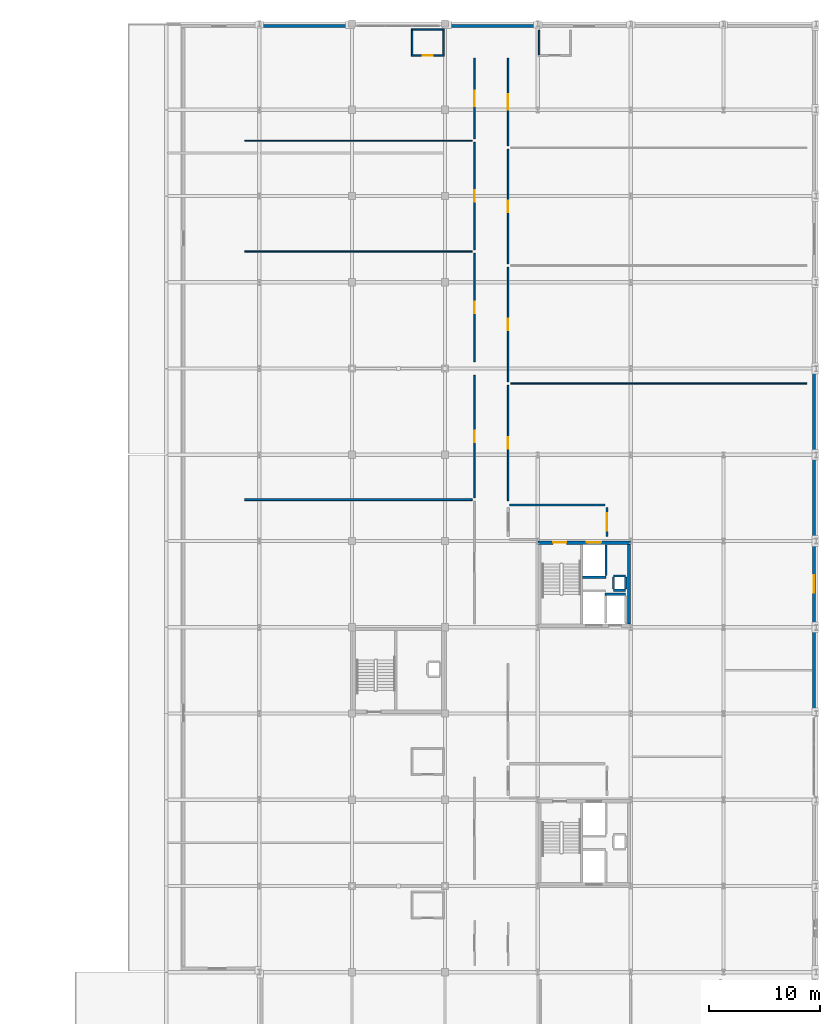
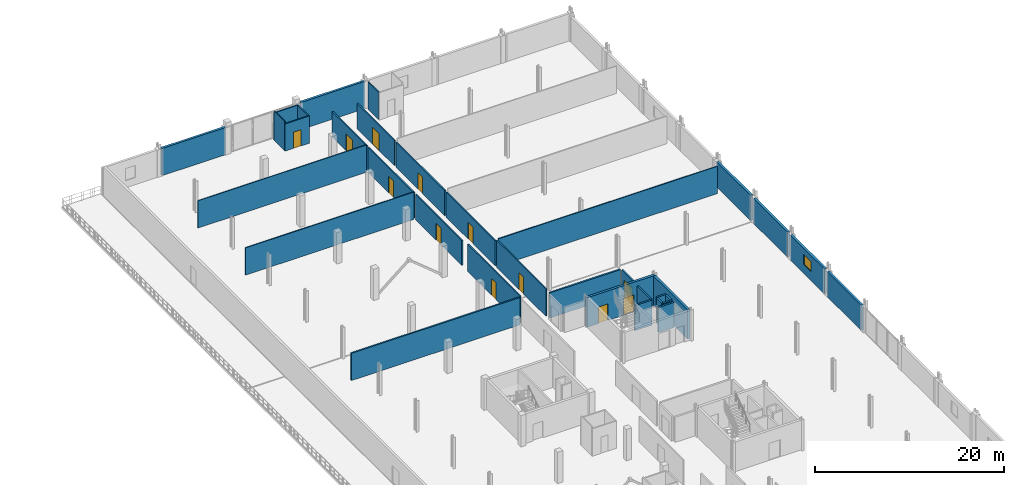
# One storey, part 31 of 41: 34 walls, 12 doors, 1 window, 13 openings.
"""IFC4 building model written with IfcOpenShell, lengths in metres."""

from ifc_helpers import new_model, si_unit, direction, frame, frame_2d, origin, place, context, subcontext, project, spatial, rectangle, extrude, material, layer, layer_set, type_object, element, fill, save


model = new_model("IFC4")

# Units and contexts
model_context = context("Model", 3, precision=1e-05, world=origin(), true_north=direction((0.0, 1.0)))
body_context = subcontext(model_context, "Body", "Model", "MODEL_VIEW")
ifc_project = project(units=[si_unit("LENGTHUNIT", "METRE"), si_unit("AREAUNIT", "SQUARE_METRE"), si_unit("VOLUMEUNIT", "CUBIC_METRE"), si_unit("PLANEANGLEUNIT", "RADIAN"), si_unit("MASSUNIT", "GRAM", prefix="KILO")], contexts=[model_context])

# Site, building, storey
site_placement = place(None, origin())
site = spatial("IfcSite", under=ifc_project, at=site_placement, CompositionType="ELEMENT")
building_placement = place(site_placement, origin())
building = spatial("IfcBuilding", under=site, at=building_placement, Name="Nabrawat Pavilion Hospital", CompositionType="ELEMENT")
storey_placement = place(building_placement, frame((0.0, 0.0, 18.89990234375)))
storey = spatial("IfcBuildingStorey", under=building, at=storey_placement, Name="L04", CompositionType="ELEMENT", Elevation=18.89990234375)

# Wall
ifc_material_1 = material(Name="Gypsum Plasterboard on Stud", Category="gypsum")
ifc_layer_1 = layer(ifc_material_1, 0.10009765625, Name="Gypsum Plasterboard on Stud")
ifc_layer_set_1 = layer_set([ifc_layer_1], Name="Gypsum Plasterboard on Stud")
wall_type_1 = type_object("IfcWallType", Name="Clean Utility Sub-Partition 100", PredefinedType="PARTITIONING", material=ifc_layer_set_1)
wall_1_placement = place(storey_placement, frame((141.489990234375, 114.219970703125, 0.0), z_axis=(0.0, 0.0, 1.0), x_axis=(1.0, 0.0, 0.0)))
element("IfcWall", 1, at=wall_1_placement, inside=storey, type_object=wall_type_1, Name="L04 Paediatric Subspecialty Day-Treatment Ward L04-06 Dividing Partition", PredefinedType="PARTITIONING", context=body_context, shape_type="SweptSolid", body=[
    extrude(rectangle(XDim=20.574951171875, YDim=0.10009765625, at=frame_2d((10.28759765625, 0.0))), origin(), (0.0, 0.0, 1.0), 3.530029296875),
])

# Wall, opening, door
ifc_material_2 = material(Name="Gypsum Fireboard on Steel Stud", Category="steel")
ifc_layer_2 = layer(ifc_material_2, 0.14990234375, Name="Gypsum Fireboard on Steel Stud")
ifc_layer_set_2 = layer_set([ifc_layer_2], Name="Gypsum Fireboard on Steel Stud")
wall_type_2 = type_object("IfcWallType", Name="Clinical Corridor Smoke-Barrier Wall 150", PredefinedType="PARTITIONING", material=ifc_layer_set_2)
wall_2_placement = place(storey_placement, frame((162.284912109375, 81.909912109375, 0.0), z_axis=(0.0, 0.0, 1.0), x_axis=(0.0, 1.0, 0.0)))
wall_2 = element("IfcWall", 2, at=wall_2_placement, inside=storey, type_object=wall_type_2, Name="L04 Paediatric Ward Nurse Station L04-04 Front Partition", PredefinedType="PARTITIONING", context=body_context, shape_type="SweptSolid", body=[
    extrude(rectangle(XDim=11.070068359375, YDim=0.14990234375, at=frame_2d((5.53515625, 0.0))), origin(), (0.0, 0.0, 1.0), 3.52001953125),
])
opening_1_placement = place(wall_2_placement, frame((5.010009765625, 0.0, 0.0)))
opening_1 = element("IfcOpeningElement", 3, at=opening_1_placement, cuts=wall_2, Name="Opening D-OPC-R", PredefinedType="OPENING", context=body_context, shape_type="SweptSolid", body=[
    extrude(rectangle(XDim=1.050048828125, YDim=2.14990234375, at=frame_2d((0.52490234375, 1.074951171875))), frame((0.0, 0.0849609375, 0.0), z_axis=(0.0, -1.0, 0.0), x_axis=(1.0, 0.0, 0.0)), (0.0, 0.0, 1.0), 0.169921875),
])
ifc_material_3 = material(Name="Stainless-Clad Acoustic Timber and Vision Glass", Category="wood")
door_type_1 = type_object("IfcDoorType", Name="Outpatient Clinic Consultation Door R 1050x2150", OperationType="NOTDEFINED", PredefinedType="DOOR", material=ifc_material_3)
door_1_placement = place(opening_1_placement, origin())
door_1 = element("IfcDoor", 4, at=door_1_placement, inside=storey, type_object=door_type_1, Name="Paediatric Ward Nurse Station L04-04 Door", OperationType="SINGLE_SWING_LEFT", OverallHeight=2.14990234375, OverallWidth=1.050048828125, PredefinedType="DOOR", context=body_context, shape_type="SweptSolid", body=[
    extrude(rectangle(XDim=1.050048828125, YDim=2.14990234375, at=frame_2d((0.52490234375, 1.074951171875))), frame((0.0, 0.02490234375, 0.0), z_axis=(0.0, -1.0, 0.0), x_axis=(1.0, 0.0, 0.0)), (0.0, 0.0, 1.0), 0.050048828125),
])
fill(opening_1, door_1)

wall_3_placement = place(storey_placement, frame((162.284912109375, 94.219970703125, 0.0), z_axis=(0.0, 0.0, 1.0), x_axis=(0.0, 1.0, 0.0)))
wall_3 = element("IfcWall", 5, at=wall_3_placement, inside=storey, type_object=wall_type_2, Name="L04 Paediatric Therapeutic Activity Room L04-05 Front Partition", PredefinedType="PARTITIONING", context=body_context, shape_type="SweptSolid", body=[
    extrude(rectangle(XDim=9.800048828125, YDim=0.14990234375, at=frame_2d((4.89990234375, 0.0))), origin(), (0.0, 0.0, 1.0), 3.25),
])
opening_2_placement = place(wall_3_placement, frame((4.375, 0.0, 0.0)))
opening_2 = element("IfcOpeningElement", 6, at=opening_2_placement, cuts=wall_3, Name="Opening D-OPC-L", PredefinedType="OPENING", context=body_context, shape_type="SweptSolid", body=[
    extrude(rectangle(XDim=1.050048828125, YDim=2.14990234375, at=frame_2d((0.52490234375, 1.074951171875))), frame((0.0, 0.0849609375, 0.0), z_axis=(0.0, -1.0, 0.0), x_axis=(1.0, 0.0, 0.0)), (0.0, 0.0, 1.0), 0.169921875),
])
door_type_2 = type_object("IfcDoorType", Name="Outpatient Clinic Consultation Door L 1050x2150", OperationType="NOTDEFINED", PredefinedType="DOOR", material=ifc_material_3)
door_2_placement = place(opening_2_placement, origin())
door_2 = element("IfcDoor", 7, at=door_2_placement, inside=storey, type_object=door_type_2, Name="Paediatric Therapeutic Activity Room L04-05 Door", OperationType="SINGLE_SWING_RIGHT", OverallHeight=2.14990234375, OverallWidth=1.050048828125, PredefinedType="DOOR", context=body_context, shape_type="SweptSolid", body=[
    extrude(rectangle(XDim=1.050048828125, YDim=2.14990234375, at=frame_2d((0.52490234375, 1.074951171875))), frame((0.0, 0.02490234375, 0.0), z_axis=(0.0, -1.0, 0.0), x_axis=(1.0, 0.0, 0.0)), (0.0, 0.0, 1.0), 0.050048828125),
])
fill(opening_2, door_2)

wall_4_placement = place(storey_placement, frame((162.284912109375, 104.340087890625, 0.0), z_axis=(0.0, 0.0, 1.0), x_axis=(0.0, 1.0, 0.0)))
wall_4 = element("IfcWall", 8, at=wall_4_placement, inside=storey, type_object=wall_type_2, Name="L04 Paediatric Subspecialty Day-Treatment Ward L04-06 Front Partition", PredefinedType="PARTITIONING", context=body_context, shape_type="SweptSolid", body=[
    extrude(rectangle(XDim=9.719970703125, YDim=0.14990234375, at=frame_2d((4.85986328125, 0.0))), origin(), (0.0, 0.0, 1.0), 3.25),
])
opening_3_placement = place(wall_4_placement, frame((4.3349609375, 0.0, 0.0)))
opening_3 = element("IfcOpeningElement", 9, at=opening_3_placement, cuts=wall_4, Name="Opening D-OPC-R", PredefinedType="OPENING", context=body_context, shape_type="SweptSolid", body=[
    extrude(rectangle(XDim=1.050048828125, YDim=2.14990234375, at=frame_2d((0.52490234375, 1.074951171875))), frame((0.0, 0.0849609375, 0.0), z_axis=(0.0, -1.0, 0.0), x_axis=(1.0, 0.0, 0.0)), (0.0, 0.0, 1.0), 0.169921875),
])
door_3_placement = place(opening_3_placement, origin())
door_3 = element("IfcDoor", 10, at=door_3_placement, inside=storey, type_object=door_type_1, Name="Paediatric Subspecialty Day-Treatment Ward L04-06 Door", OperationType="SINGLE_SWING_LEFT", OverallHeight=2.14990234375, OverallWidth=1.050048828125, PredefinedType="DOOR", context=body_context, shape_type="SweptSolid", body=[
    extrude(rectangle(XDim=1.050048828125, YDim=2.14990234375, at=frame_2d((0.52490234375, 1.074951171875))), frame((0.0, 0.02490234375, 0.0), z_axis=(0.0, -1.0, 0.0), x_axis=(1.0, 0.0, 0.0)), (0.0, 0.0, 1.0), 0.050048828125),
])
fill(opening_3, door_3)

wall_5_placement = place(storey_placement, frame((162.284912109375, 114.3798828125, 0.0), z_axis=(0.0, 0.0, 1.0), x_axis=(0.0, 1.0, 0.0)))
wall_5 = element("IfcWall", 11, at=wall_5_placement, inside=storey, type_object=wall_type_2, Name="L04 Inpatient Ward Paediatric Parent-Child Bedroom L04-07 Front Partition", PredefinedType="PARTITIONING", context=body_context, shape_type="SweptSolid", body=[
    extrude(rectangle(XDim=7.2900390625, YDim=0.14990234375, at=frame_2d((3.64501953125, 0.0))), origin(), (0.0, 0.0, 1.0), 3.25),
])
opening_4_placement = place(wall_5_placement, frame((2.945068359375, 0.0, 0.0)))
opening_4 = element("IfcOpeningElement", 12, at=opening_4_placement, cuts=wall_5, Name="Opening D-BED", PredefinedType="OPENING", context=body_context, shape_type="SweptSolid", body=[
    extrude(rectangle(XDim=1.39990234375, YDim=2.199951171875, at=frame_2d((0.699951171875, 1.10009765625))), frame((0.0, 0.0849609375, 0.0), z_axis=(0.0, -1.0, 0.0), x_axis=(1.0, 0.0, 0.0)), (0.0, 0.0, 1.0), 0.169921875),
])
door_type_3 = type_object("IfcDoorType", Name="D-BED Inpatient Ward Leaf-and-a-Half Door 1400x2200", OperationType="NOTDEFINED", PredefinedType="DOOR", material=ifc_material_3)
door_4_placement = place(opening_4_placement, origin())
door_4 = element("IfcDoor", 13, at=door_4_placement, inside=storey, type_object=door_type_3, Name="Inpatient Ward Paediatric Parent-Child Bedroom L04-07 Door", OperationType="SINGLE_SWING_RIGHT", OverallHeight=2.199951171875, OverallWidth=1.39990234375, PredefinedType="DOOR", context=body_context, shape_type="SweptSolid", body=[
    extrude(rectangle(XDim=1.39990234375, YDim=2.199951171875, at=frame_2d((0.699951171875, 1.10009765625))), frame((0.0, 0.02490234375, 0.0), z_axis=(0.0, -1.0, 0.0), x_axis=(1.0, 0.0, 0.0)), (0.0, 0.0, 1.0), 0.050048828125),
])
fill(opening_4, door_4)

wall_6_placement = place(storey_placement, frame((165.31494140625, 81.64990234375, 0.0), z_axis=(0.0, 0.0, 1.0), x_axis=(0.0, 1.0, 0.0)))
wall_6 = element("IfcWall", 14, at=wall_6_placement, inside=storey, type_object=wall_type_2, Name="L04 Paediatric Ward Nurse Station L04-10 Front Partition", PredefinedType="PARTITIONING", context=body_context, shape_type="SweptSolid", body=[
    extrude(rectangle(XDim=10.4326171875, YDim=0.14990234375, at=frame_2d((5.21630859375, 0.0))), origin(), (0.0, 0.0, 1.0), 3.52001953125),
])
opening_5_placement = place(wall_6_placement, frame((4.69140625, 0.0, 0.0)))
opening_5 = element("IfcOpeningElement", 15, at=opening_5_placement, cuts=wall_6, Name="Opening D-OPC-L", PredefinedType="OPENING", context=body_context, shape_type="SweptSolid", body=[
    extrude(rectangle(XDim=1.050048828125, YDim=2.14990234375, at=frame_2d((0.52490234375, 1.074951171875))), frame((0.0, 0.0849609375, 0.0), z_axis=(0.0, -1.0, 0.0), x_axis=(1.0, 0.0, 0.0)), (0.0, 0.0, 1.0), 0.169921875),
])
door_5_placement = place(opening_5_placement, origin())
door_5 = element("IfcDoor", 16, at=door_5_placement, inside=storey, type_object=door_type_2, Name="Paediatric Ward Nurse Station L04-10 Door", OperationType="SINGLE_SWING_RIGHT", OverallHeight=2.14990234375, OverallWidth=1.050048828125, PredefinedType="DOOR", context=body_context, shape_type="SweptSolid", body=[
    extrude(rectangle(XDim=1.050048828125, YDim=2.14990234375, at=frame_2d((0.52490234375, 1.074951171875))), frame((0.0, 0.02490234375, 0.0), z_axis=(0.0, -1.0, 0.0), x_axis=(1.0, 0.0, 0.0)), (0.0, 0.0, 1.0), 0.050048828125),
])
fill(opening_5, door_5)

wall_7_placement = place(storey_placement, frame((165.31494140625, 92.402587890625, 0.0), z_axis=(0.0, 0.0, 1.0), x_axis=(0.0, 1.0, 0.0)))
wall_7 = element("IfcWall", 17, at=wall_7_placement, inside=storey, type_object=wall_type_2, Name="L04 Paediatric Therapeutic Activity Room L04-11 Front Partition", PredefinedType="PARTITIONING", context=body_context, shape_type="SweptSolid", body=[
    extrude(rectangle(XDim=10.352294921875, YDim=0.14990234375, at=frame_2d((5.17626953125, 0.0))), origin(), (0.0, 0.0, 1.0), 3.25),
])
opening_6_placement = place(wall_7_placement, frame((4.651123046875, 0.0, 0.0)))
opening_6 = element("IfcOpeningElement", 18, at=opening_6_placement, cuts=wall_7, Name="Opening D-OPC-R", PredefinedType="OPENING", context=body_context, shape_type="SweptSolid", body=[
    extrude(rectangle(XDim=1.050048828125, YDim=2.14990234375, at=frame_2d((0.52490234375, 1.074951171875))), frame((0.0, 0.0849609375, 0.0), z_axis=(0.0, -1.0, 0.0), x_axis=(1.0, 0.0, 0.0)), (0.0, 0.0, 1.0), 0.169921875),
])
door_6_placement = place(opening_6_placement, origin())
door_6 = element("IfcDoor", 19, at=door_6_placement, inside=storey, type_object=door_type_1, Name="Paediatric Therapeutic Activity Room L04-11 Door", OperationType="SINGLE_SWING_LEFT", OverallHeight=2.14990234375, OverallWidth=1.050048828125, PredefinedType="DOOR", context=body_context, shape_type="SweptSolid", body=[
    extrude(rectangle(XDim=1.050048828125, YDim=2.14990234375, at=frame_2d((0.52490234375, 1.074951171875))), frame((0.0, 0.02490234375, 0.0), z_axis=(0.0, -1.0, 0.0), x_axis=(1.0, 0.0, 0.0)), (0.0, 0.0, 1.0), 0.050048828125),
])
fill(opening_6, door_6)

wall_8_placement = place(storey_placement, frame((165.31494140625, 103.074951171875, 0.0), z_axis=(0.0, 0.0, 1.0), x_axis=(0.0, 1.0, 0.0)))
wall_8 = element("IfcWall", 20, at=wall_8_placement, inside=storey, type_object=wall_type_2, Name="L04 Paediatric Subspecialty Day-Treatment Ward L04-12 Front Partition", PredefinedType="PARTITIONING", context=body_context, shape_type="SweptSolid", body=[
    extrude(rectangle(XDim=10.3525390625, YDim=0.14990234375, at=frame_2d((5.17626953125, 0.0))), origin(), (0.0, 0.0, 1.0), 3.25),
])
opening_7_placement = place(wall_8_placement, frame((4.651123046875, 0.0, 0.0)))
opening_7 = element("IfcOpeningElement", 21, at=opening_7_placement, cuts=wall_8, Name="Opening D-OPC-L", PredefinedType="OPENING", context=body_context, shape_type="SweptSolid", body=[
    extrude(rectangle(XDim=1.050048828125, YDim=2.14990234375, at=frame_2d((0.52490234375, 1.074951171875))), frame((0.0, 0.0849609375, 0.0), z_axis=(0.0, -1.0, 0.0), x_axis=(1.0, 0.0, 0.0)), (0.0, 0.0, 1.0), 0.169921875),
])
door_7_placement = place(opening_7_placement, origin())
door_7 = element("IfcDoor", 22, at=door_7_placement, inside=storey, type_object=door_type_2, Name="Paediatric Subspecialty Day-Treatment Ward L04-12 Door", OperationType="SINGLE_SWING_RIGHT", OverallHeight=2.14990234375, OverallWidth=1.050048828125, PredefinedType="DOOR", context=body_context, shape_type="SweptSolid", body=[
    extrude(rectangle(XDim=1.050048828125, YDim=2.14990234375, at=frame_2d((0.52490234375, 1.074951171875))), frame((0.0, 0.02490234375, 0.0), z_axis=(0.0, -1.0, 0.0), x_axis=(1.0, 0.0, 0.0)), (0.0, 0.0, 1.0), 0.050048828125),
])
fill(opening_7, door_7)

wall_9_placement = place(storey_placement, frame((165.31494140625, 113.74755859375, 0.0), z_axis=(0.0, 0.0, 1.0), x_axis=(0.0, 1.0, 0.0)))
wall_9 = element("IfcWall", 23, at=wall_9_placement, inside=storey, type_object=wall_type_2, Name="L04 Inpatient Ward Paediatric Parent-Child Bedroom L04-13 Front Partition", PredefinedType="PARTITIONING", context=body_context, shape_type="SweptSolid", body=[
    extrude(rectangle(XDim=7.92236328125, YDim=0.14990234375, at=frame_2d((3.961181640625, 0.0))), origin(), (0.0, 0.0, 1.0), 3.25),
])
opening_8_placement = place(wall_9_placement, frame((3.26123046875, 0.0, 0.0)))
opening_8 = element("IfcOpeningElement", 24, at=opening_8_placement, cuts=wall_9, Name="Opening D-BED", PredefinedType="OPENING", context=body_context, shape_type="SweptSolid", body=[
    extrude(rectangle(XDim=1.39990234375, YDim=2.199951171875, at=frame_2d((0.699951171875, 1.10009765625))), frame((0.0, 0.0849609375, 0.0), z_axis=(0.0, -1.0, 0.0), x_axis=(1.0, 0.0, 0.0)), (0.0, 0.0, 1.0), 0.169921875),
])
door_8_placement = place(opening_8_placement, origin())
door_8 = element("IfcDoor", 25, at=door_8_placement, inside=storey, type_object=door_type_3, Name="Inpatient Ward Paediatric Parent-Child Bedroom L04-13 Door", OperationType="SINGLE_SWING_LEFT", OverallHeight=2.199951171875, OverallWidth=1.39990234375, PredefinedType="DOOR", context=body_context, shape_type="SweptSolid", body=[
    extrude(rectangle(XDim=1.39990234375, YDim=2.199951171875, at=frame_2d((0.699951171875, 1.10009765625))), frame((0.0, 0.02490234375, 0.0), z_axis=(0.0, -1.0, 0.0), x_axis=(1.0, 0.0, 0.0)), (0.0, 0.0, 1.0), 0.050048828125),
])
fill(opening_8, door_8)

# Wall
ifc_material_4 = material(Name="Acoustic Gypsum on Twin Stud", Category="gypsum")
ifc_layer_3 = layer(ifc_material_4, 0.179931640625, Name="Acoustic Gypsum on Twin Stud")
ifc_layer_set_3 = layer_set([ifc_layer_3], Name="Acoustic Gypsum on Twin Stud")
wall_type_3 = type_object("IfcWallType", Name="Critical Care Acoustic Glazed Partition 180", PredefinedType="PARTITIONING", material=ifc_layer_set_3)
wall_10_placement = place(storey_placement, frame((141.489990234375, 81.75, 0.0), z_axis=(0.0, 0.0, 1.0), x_axis=(1.0, 0.0, 0.0)))
element("IfcWall", 26, at=wall_10_placement, inside=storey, type_object=wall_type_3, Name="L04 Intensive Care Pod Paediatric PICU L04-03 Dividing Partition", PredefinedType="PARTITIONING", context=body_context, shape_type="SweptSolid", body=[
    extrude(rectangle(XDim=20.574951171875, YDim=0.179931640625, at=frame_2d((10.28759765625, 0.0))), origin(), (0.0, 0.0, 1.0), 3.530029296875),
])

# Wall, opening, door
ifc_material_5 = material(Name="Cement Board on Steel Stud", Category="steel")
ifc_layer_4 = layer(ifc_material_5, 0.1298828125, Name="Cement Board on Steel Stud")
ifc_layer_set_4 = layer_set([ifc_layer_4], Name="Cement Board on Steel Stud")
wall_type_4 = type_object("IfcWallType", Name="En-Suite Moisture-Resistant Partition 130", PredefinedType="PARTITIONING", material=ifc_layer_set_4)
wall_11_placement = place(storey_placement, frame((156.570068359375, 121.909912109375, 0.0), z_axis=(0.0, 0.0, 1.0), x_axis=(1.0, 0.0, 0.0)))
wall_11 = element("IfcWall", 27, at=wall_11_placement, inside=storey, type_object=wall_type_4, Name="L04 En-Suite Bathroom WRD-PED-07 Front Partition", PredefinedType="PARTITIONING", context=body_context, shape_type="SweptSolid", body=[
    extrude(rectangle(XDim=2.97998046875, YDim=0.1298828125, at=frame_2d((1.489990234375, 0.0))), origin(), (0.0, 0.0, 1.0), 3.52001953125),
])
opening_9_placement = place(wall_11_placement, frame((1.0400390625, 0.0, 0.0)))
opening_9 = element("IfcOpeningElement", 28, at=opening_9_placement, cuts=wall_11, Name="Opening D-ENS-R", PredefinedType="OPENING", context=body_context, shape_type="SweptSolid", body=[
    extrude(rectangle(XDim=0.89990234375, YDim=2.10009765625, at=frame_2d((0.449951171875, 1.050048828125))), frame((0.0, 0.074951171875, 0.0), z_axis=(0.0, -1.0, 0.0), x_axis=(1.0, 0.0, 0.0)), (0.0, 0.0, 1.0), 0.14990234375),
])
door_type_4 = type_object("IfcDoorType", Name="En-Suite Bathroom Outward Door R 900x2100", OperationType="NOTDEFINED", PredefinedType="DOOR", material=ifc_material_3)
door_9_placement = place(opening_9_placement, origin())
door_9 = element("IfcDoor", 29, at=door_9_placement, inside=storey, type_object=door_type_4, Name="En-Suite Bathroom WRD-PED-07 Door", OperationType="SINGLE_SWING_LEFT", OverallHeight=2.10009765625, OverallWidth=0.89990234375, PredefinedType="DOOR", context=body_context, shape_type="SweptSolid", body=[
    extrude(rectangle(XDim=0.89990234375, YDim=2.10009765625, at=frame_2d((0.449951171875, 1.050048828125))), frame((0.0, 0.02490234375, 0.0), z_axis=(0.0, -1.0, 0.0), x_axis=(1.0, 0.0, 0.0)), (0.0, 0.0, 1.0), 0.050048828125),
])
fill(opening_9, door_9)

# Walls
wall_12_placement = place(storey_placement, frame((156.570068359375, 124.260009765625, 0.0), z_axis=(0.0, 0.0, 1.0), x_axis=(1.0, 0.0, 0.0)))
element("IfcWall", 30, at=wall_12_placement, inside=storey, type_object=wall_type_4, Name="L04 En-Suite Bathroom WRD-PED-07 North Partition", PredefinedType="PARTITIONING", context=body_context, shape_type="SweptSolid", body=[
    extrude(rectangle(XDim=2.97998046875, YDim=0.1298828125, at=frame_2d((1.489990234375, 0.0))), origin(), (0.0, 0.0, 1.0), 3.52001953125),
])
wall_13_placement = place(storey_placement, frame((156.635009765625, 121.97509765625, 0.0), z_axis=(0.0, 0.0, 1.0), x_axis=(0.0, 1.0, 0.0)))
element("IfcWall", 31, at=wall_13_placement, inside=storey, type_object=wall_type_4, Name="L04 En-Suite Bathroom WRD-PED-07 West Partition", PredefinedType="PARTITIONING", context=body_context, shape_type="SweptSolid", body=[
    extrude(rectangle(XDim=2.219970703125, YDim=0.1298828125, at=frame_2d((1.10986328125, 0.0))), origin(), (0.0, 0.0, 1.0), 3.77001953125),
])
for number, where, z_axis, x_axis, name in (
    (32, (159.485107421875, 121.97509765625, 0.0), (0.0, 0.0, 1.0), (0.0, 1.0, 0.0), "L04 En-Suite Bathroom WRD-PED-07 East Partition"),
    (33, (168.114990234375, 121.97509765625, 0.0), (0.0, 0.0, 1.0), (0.0, 1.0, 0.0), "L04 En-Suite Bathroom WRD-PED-13 West Partition"),
):
    element("IfcWall", number, at=place(storey_placement, frame(where, z_axis=z_axis, x_axis=x_axis)), inside=storey, type_object=wall_type_4, Name=name, PredefinedType="PARTITIONING", context=body_context, shape_type="SweptSolid", body=[
        extrude(rectangle(XDim=2.219970703125, YDim=0.1298828125, at=frame_2d((1.10986328125, 0.0))), origin(), (0.0, 0.0, 1.0), 3.52001953125),
    ])
ifc_material_6 = material(Name="Concrete C35/45", Category="concrete")
ifc_layer_5 = layer(ifc_material_6, 0.199951171875, Name="Concrete C35/45")
ifc_layer_set_5 = layer_set([ifc_layer_5], Name="Concrete C35/45")
wall_type_5 = type_object("IfcWallType", Name="Firefighting Lobby Compartment Wall 200", PredefinedType="PARTITIONING", material=ifc_layer_set_5)
wall_14_placement = place(storey_placement, frame((165.43994140625, 81.25, 0.0), z_axis=(0.0, 0.0, 1.0), x_axis=(1.0, 0.0, 0.0)))
element("IfcWall", 34, at=wall_14_placement, inside=storey, type_object=wall_type_5, Name="L04 CORE-6 Firefighting Lobby North Compartment Wall", PredefinedType="PARTITIONING", context=body_context, shape_type="SweptSolid", body=[
    extrude(rectangle(XDim=8.66015625, YDim=0.199951171875, at=frame_2d((4.330078125, 0.0))), origin(), (0.0, 0.0, 1.0), 3.25),
])

# Wall, opening, door
wall_15_placement = place(storey_placement, frame((174.25, 78.39990234375, 0.0), z_axis=(0.0, 0.0, 1.0), x_axis=(0.0, 1.0, 0.0)))
wall_15 = element("IfcWall", 35, at=wall_15_placement, inside=storey, type_object=wall_type_5, Name="L04 CORE-6 Firefighting Lobby East Compartment Wall", PredefinedType="PARTITIONING", context=body_context, shape_type="SweptSolid", body=[
    extrude(rectangle(XDim=2.650146484375, YDim=0.199951171875, at=frame_2d((1.3251953125, 0.0))), origin(), (0.0, 0.0, 1.0), 3.25),
])
opening_10_placement = place(wall_15_placement, frame((0.52490234375, 0.0, 0.0)))
opening_10 = element("IfcOpeningElement", 36, at=opening_10_placement, cuts=wall_15, Name="Opening D-FFL", PredefinedType="OPENING", context=body_context, shape_type="SweptSolid", body=[
    extrude(rectangle(XDim=1.60009765625, YDim=2.199951171875, at=frame_2d((0.800048828125, 1.10009765625))), frame((0.0, 0.10986328125, 0.0), z_axis=(0.0, -1.0, 0.0), x_axis=(1.0, 0.0, 0.0)), (0.0, 0.0, 1.0), 0.219970703125),
])
door_type_5 = type_object("IfcDoorType", Name="D-FFL Firefighting Lobby Double Smoke Door 1600x2200", OperationType="NOTDEFINED", PredefinedType="DOOR", material=ifc_material_3)
door_10_placement = place(opening_10_placement, origin())
door_10 = element("IfcDoor", 37, at=door_10_placement, inside=storey, type_object=door_type_5, Name="L04 CORE-6 Firefighting Lobby East Smoke Door", OperationType="DOUBLE_DOOR_SINGLE_SWING", OverallHeight=2.199951171875, OverallWidth=1.60009765625, PredefinedType="DOOR", context=body_context, shape_type="SweptSolid", body=[
    extrude(rectangle(XDim=1.60009765625, YDim=2.199951171875, at=frame_2d((0.800048828125, 1.10009765625))), frame((0.0, 0.02490234375, 0.0), z_axis=(0.0, -1.0, 0.0), x_axis=(1.0, 0.0, 0.0)), (0.0, 0.0, 1.0), 0.050048828125),
])
fill(opening_10, door_10)

# Walls
ifc_material_7 = material(Name="Precast concrete C40/50", Category="concrete")
ifc_layer_6 = layer(ifc_material_7, 0.280029296875, Name="Precast concrete C40/50")
ifc_layer_set_6 = layer_set([ifc_layer_6], Name="Precast concrete C40/50")
wall_type_6 = type_object("IfcWallType", Name="Insulated Precast Facade Wall 280", PredefinedType="SOLIDWALL", material=ifc_layer_set_6)
for number, where, z_axis, x_axis, name in (
    (38, (143.0, 124.580078125, 0.0), (0.0, 0.0, 1.0), (1.0, 0.0, 0.0), "L04 Insulated Precast Facade Wall 280 354"),
    (39, (159.97509765625, 124.580078125, 0.0), (0.0, 0.0, 1.0), (1.0, 0.0, 0.0), "L04 Insulated Precast Facade Wall 280 355"),
):
    element("IfcWall", number, at=place(storey_placement, frame(where, z_axis=z_axis, x_axis=x_axis)), inside=storey, type_object=wall_type_6, Name=name, PredefinedType="SOLIDWALL", context=body_context, shape_type="SweptSolid", body=[
        extrude(rectangle(XDim=7.824951171875, YDim=0.280029296875, at=frame_2d((3.91259765625, 0.0))), origin(), (0.0, 0.0, 1.0), 3.52001953125),
    ])
wall_16_placement = place(storey_placement, frame((192.97998046875, 62.699951171875, 0.0), z_axis=(0.0, 0.0, 1.0), x_axis=(0.0, 1.0, 0.0)))
element("IfcWall", 40, at=wall_16_placement, inside=storey, type_object=wall_type_6, Name="L04 Insulated Precast Facade Wall 280 374", PredefinedType="SOLIDWALL", context=body_context, shape_type="SweptSolid", body=[
    extrude(rectangle(XDim=7.199951171875, YDim=0.280029296875, at=frame_2d((3.60009765625, 0.0))), origin(), (0.0, 0.0, 1.0), 3.25),
])

# Wall, opening, window
wall_17_placement = place(storey_placement, frame((192.97998046875, 70.5, 0.0), z_axis=(0.0, 0.0, 1.0), x_axis=(0.0, 1.0, 0.0)))
wall_17 = element("IfcWall", 41, at=wall_17_placement, inside=storey, type_object=wall_type_6, Name="L04 Insulated Precast Facade Wall 280 375", PredefinedType="SOLIDWALL", context=body_context, shape_type="SweptSolid", body=[
    extrude(rectangle(XDim=7.199951171875, YDim=0.280029296875, at=frame_2d((3.60009765625, 0.0))), origin(), (0.0, 0.0, 1.0), 3.25),
])
opening_11_placement = place(wall_17_placement, frame((2.800048828125, 0.0, 1.14990234375)))
opening_11 = element("IfcOpeningElement", 42, at=opening_11_placement, cuts=wall_17, Name="Opening WN-08", PredefinedType="OPENING", context=body_context, shape_type="SweptSolid", body=[
    extrude(rectangle(XDim=1.60009765625, YDim=1.300048828125, at=frame_2d((0.800048828125, 0.64990234375))), frame((0.0, 0.14990234375, 0.0), z_axis=(0.0, -1.0, 0.0), x_axis=(1.0, 0.0, 0.0)), (0.0, 0.0, 1.0), 0.300048828125),
])
ifc_material_8 = material(Name="Thermally Broken Aluminium and Solar Glass", Category="aluminium")
window_type = type_object("IfcWindowType", Name="Surgical Scrub Borrowed-Light Window 1600x1300", PartitioningType="SINGLE_PANEL", PredefinedType="WINDOW", material=ifc_material_8)
window_placement = place(opening_11_placement, origin())
window = element("IfcWindow", 43, at=window_placement, inside=storey, type_object=window_type, Name="L04 Surgical Scrub Borrowed-Light Window 1600x1300 136", OverallHeight=1.300048828125, OverallWidth=1.60009765625, PartitioningType="SINGLE_PANEL", PredefinedType="WINDOW", context=body_context, shape_type="SweptSolid", body=[
    extrude(rectangle(XDim=1.60009765625, YDim=1.300048828125, at=frame_2d((0.800048828125, 0.64990234375))), frame((0.0, 0.030029296875, 0.0), z_axis=(0.0, -1.0, 0.0), x_axis=(1.0, 0.0, 0.0)), (0.0, 0.0, 1.0), 0.06005859375),
])
fill(opening_11, window)

# Walls
for number, where, z_axis, x_axis, name in (
    (44, (192.97998046875, 78.300048828125, 0.0), (0.0, 0.0, 1.0), (0.0, 1.0, 0.0), "L04 Insulated Precast Facade Wall 280 376"),
    (45, (192.97998046875, 86.10009765625, 0.0), (0.0, 0.0, 1.0), (0.0, 1.0, 0.0), "L04 Insulated Precast Facade Wall 280 377"),
):
    element("IfcWall", number, at=place(storey_placement, frame(where, z_axis=z_axis, x_axis=x_axis)), inside=storey, type_object=wall_type_6, Name=name, PredefinedType="SOLIDWALL", context=body_context, shape_type="SweptSolid", body=[
        extrude(rectangle(XDim=7.199951171875, YDim=0.280029296875, at=frame_2d((3.60009765625, 0.0))), origin(), (0.0, 0.0, 1.0), 3.25),
    ])
ifc_layer_7 = layer(ifc_material_6, 0.199951171875, Name="Concrete C35/45")
ifc_layer_set_7 = layer_set([ifc_layer_7], Name="Concrete C35/45")
wall_type_7 = type_object("IfcWallType", Name="Lift and Riser Fire Shaft Wall 200", PredefinedType="PARTITIONING", material=ifc_layer_set_7)
for number, where, z_axis, x_axis, name in (
    (46, (174.85009765625, 73.550048828125, 0.0), (0.0, 0.0, 1.0), (1.0, 0.0, 0.0), "L04 CORE-6 MEP Riser Shaft Wall S"),
    (47, (174.85009765625, 74.85009765625, 0.0), (0.0, 0.0, 1.0), (1.0, 0.0, 0.0), "L04 CORE-6 MEP Riser Shaft Wall N"),
):
    element("IfcWall", number, at=place(storey_placement, frame(where, z_axis=z_axis, x_axis=x_axis)), inside=storey, type_object=wall_type_7, Name=name, PredefinedType="PARTITIONING", context=body_context, shape_type="SweptSolid", body=[
        extrude(rectangle(XDim=1.099853515625, YDim=0.199951171875, at=frame_2d((0.5498046875, 0.0))), origin(), (0.0, 0.0, 1.0), 3.25),
    ])
for number, where, z_axis, x_axis, name in (
    (48, (174.85009765625, 73.669921875, 0.0), (0.0, 0.0, 1.0), (0.0, 1.0, 0.0), "L04 CORE-6 MEP Riser Shaft Wall W"),
    (49, (175.949951171875, 73.669921875, 0.0), (0.0, 0.0, 1.0), (0.0, 1.0, 0.0), "L04 CORE-6 MEP Riser Shaft Wall E"),
):
    element("IfcWall", number, at=place(storey_placement, frame(where, z_axis=z_axis, x_axis=x_axis)), inside=storey, type_object=wall_type_7, Name=name, PredefinedType="PARTITIONING", context=body_context, shape_type="SweptSolid", body=[
        extrude(rectangle(XDim=1.06005859375, YDim=0.199951171875, at=frame_2d((0.530029296875, 0.0))), origin(), (0.0, 0.0, 1.0), 3.25),
    ])
wall_18_placement = place(storey_placement, frame((174.179931640625, 74.8798828125, 0.0), z_axis=(0.0, 0.0, 1.0), x_axis=(0.0, 1.0, 0.0)))
element("IfcWall", 50, at=wall_18_placement, inside=storey, type_object=wall_type_7, Name="L04 Lift LF-02 Shaft East Wall", PredefinedType="PARTITIONING", context=body_context, shape_type="SweptSolid", body=[
    extrude(rectangle(XDim=2.740234375, YDim=0.199951171875, at=frame_2d((1.3701171875, 0.0))), origin(), (0.0, 0.0, 1.0), 3.25),
])
wall_19_placement = place(storey_placement, frame((172.050048828125, 74.719970703125, 0.0), z_axis=(0.0, 0.0, 1.0), x_axis=(1.0, 0.0, 0.0)))
element("IfcWall", 51, at=wall_19_placement, inside=storey, type_object=wall_type_7, Name="L04 Lift LF-02 Shaft Back Wall", PredefinedType="PARTITIONING", context=body_context, shape_type="SweptSolid", body=[
    extrude(rectangle(XDim=2.099853515625, YDim=0.199951171875, at=frame_2d((1.0498046875, 0.0))), origin(), (0.0, 0.0, 1.0), 3.25),
])
wall_20_placement = place(storey_placement, frame((174.070068359375, 73.179931640625, 0.0), z_axis=(0.0, 0.0, 1.0), x_axis=(1.0, 0.0, 0.0)))
element("IfcWall", 52, at=wall_20_placement, inside=storey, type_object=wall_type_7, Name="L04 Lift LS-02 Shaft Back Wall", PredefinedType="PARTITIONING", context=body_context, shape_type="SweptSolid", body=[
    extrude(rectangle(XDim=1.85986328125, YDim=0.199951171875, at=frame_2d((0.929931640625, 0.0))), origin(), (0.0, 0.0, 1.0), 3.25),
])
ifc_layer_8 = layer(ifc_material_1, 0.1201171875, Name="Gypsum Plasterboard on Stud")
ifc_layer_set_8 = layer_set([ifc_layer_8], Name="Gypsum Plasterboard on Stud")
wall_type_8 = type_object("IfcWallType", Name="Outpatient Consultation Partition 120", PredefinedType="PARTITIONING", material=ifc_layer_set_8)
wall_21_placement = place(storey_placement, frame((141.489990234375, 104.179931640625, 0.0), z_axis=(0.0, 0.0, 1.0), x_axis=(1.0, 0.0, 0.0)))
element("IfcWall", 53, at=wall_21_placement, inside=storey, type_object=wall_type_8, Name="L04 Paediatric Therapeutic Activity Room L04-05 Dividing Partition", PredefinedType="PARTITIONING", context=body_context, shape_type="SweptSolid", body=[
    extrude(rectangle(XDim=20.574951171875, YDim=0.1201171875, at=frame_2d((10.28759765625, 0.0))), origin(), (0.0, 0.0, 1.0), 3.530029296875),
])
wall_22_placement = place(storey_placement, frame((165.534912109375, 92.242431640625, 0.0), z_axis=(0.0, 0.0, 1.0), x_axis=(1.0, 0.0, 0.0)))
element("IfcWall", 54, at=wall_22_placement, inside=storey, type_object=wall_type_8, Name="L04 Paediatric Ward Nurse Station L04-10 Dividing Partition", PredefinedType="PARTITIONING", context=body_context, shape_type="SweptSolid", body=[
    extrude(rectangle(XDim=26.775146484375, YDim=0.1201171875, at=frame_2d((13.3876953125, 0.0))), origin(), (0.0, 0.0, 1.0), 3.530029296875),
])

# Wall, openings, doors
ifc_material_9 = material(Name="Concrete C40/50", Category="concrete")
ifc_layer_9 = layer(ifc_material_9, 0.300048828125, Name="Concrete C40/50")
ifc_layer_set_9 = layer_set([ifc_layer_9], Name="Concrete C40/50")
wall_type_9 = type_object("IfcWallType", Name="Reinforced Concrete Core Shear Wall 300", PredefinedType="SHEAR", material=ifc_layer_set_9)
wall_23_placement = place(storey_placement, frame((168.0, 77.85009765625, 0.0), z_axis=(0.0, 0.0, 1.0), x_axis=(1.0, 0.0, 0.0)))
wall_23 = element("IfcWall", 55, at=wall_23_placement, inside=storey, type_object=wall_type_9, Name="L04 CORE-6 North Core Shear Wall", PredefinedType="SHEAR", context=body_context, shape_type="SweptSolid", body=[
    extrude(rectangle(XDim=8.39990234375, YDim=0.300048828125, at=frame_2d((4.199951171875, 0.0))), origin(), (0.0, 0.0, 1.0), 3.820068359375),
])
opening_12_placement = place(wall_23_placement, frame((1.3798828125, 0.0, 0.0)))
opening_12 = element("IfcOpeningElement", 56, at=opening_12_placement, cuts=wall_23, Name="Opening D-STAIR", PredefinedType="OPENING", context=body_context, shape_type="SweptSolid", body=[
    extrude(rectangle(XDim=1.199951171875, YDim=2.14990234375, at=frame_2d((0.60009765625, 1.074951171875))), frame((0.0, 0.16015625, 0.0), z_axis=(0.0, -1.0, 0.0), x_axis=(1.0, 0.0, 0.0)), (0.0, 0.0, 1.0), 0.320068359375),
])
opening_13_placement = place(wall_23_placement, frame((4.449951171875, 0.0, 0.0)))
opening_13 = element("IfcOpeningElement", 57, at=opening_13_placement, cuts=wall_23, Name="Opening LD-LF-02", PredefinedType="OPENING", context=body_context, shape_type="SweptSolid", body=[
    extrude(rectangle(XDim=1.300048828125, YDim=2.199951171875, at=frame_2d((0.64990234375, 1.10009765625))), frame((0.0, 0.16015625, 0.0), z_axis=(0.0, -1.0, 0.0), x_axis=(1.0, 0.0, 0.0)), (0.0, 0.0, 1.0), 0.320068359375),
])
door_type_6 = type_object("IfcDoorType", Name="D-STAIR Exit Stair Fire Door 1200x2150", OperationType="NOTDEFINED", PredefinedType="DOOR", material=ifc_material_3)
door_11_placement = place(opening_12_placement, origin())
door_11 = element("IfcDoor", 58, at=door_11_placement, inside=storey, type_object=door_type_6, Name="L04 ST-06 Fire Exit Stair Door", OperationType="SINGLE_SWING_RIGHT", OverallHeight=2.14990234375, OverallWidth=1.199951171875, PredefinedType="DOOR", context=body_context, shape_type="SweptSolid", body=[
    extrude(rectangle(XDim=1.199951171875, YDim=2.14990234375, at=frame_2d((0.60009765625, 1.074951171875))), frame((0.0, 0.02490234375, 0.0), z_axis=(0.0, -1.0, 0.0), x_axis=(1.0, 0.0, 0.0)), (0.0, 0.0, 1.0), 0.050048828125),
])
fill(opening_12, door_11)
door_type_7 = type_object("IfcDoorType", Name="Firefighting Lift Sliding Landing Door 1300x2200", OperationType="DOUBLE_DOOR_SLIDING", PredefinedType="DOOR", material=ifc_material_3)
door_12_placement = place(opening_13_placement, origin())
door_12 = element("IfcDoor", 59, at=door_12_placement, inside=storey, type_object=door_type_7, Name="L04 Lift LF-02 Sliding Landing Door", OperationType="DOUBLE_DOOR_SLIDING", OverallHeight=2.199951171875, OverallWidth=1.300048828125, PredefinedType="DOOR", context=body_context, shape_type="SweptSolid", body=[
    extrude(rectangle(XDim=1.300048828125, YDim=2.199951171875, at=frame_2d((0.64990234375, 1.10009765625))), frame((0.0, 0.02490234375, 0.0), z_axis=(0.0, -1.0, 0.0), x_axis=(1.0, 0.0, 0.0)), (0.0, 0.0, 1.0), 0.050048828125),
])
fill(opening_13, door_12)

# Wall
wall_24_placement = place(storey_placement, frame((176.25, 70.5, 0.0), z_axis=(0.0, 0.0, 1.0), x_axis=(0.0, 1.0, 0.0)))
element("IfcWall", 60, at=wall_24_placement, inside=storey, type_object=wall_type_9, Name="L04 CORE-6 East Core Shear Wall", PredefinedType="SHEAR", context=body_context, shape_type="SweptSolid", body=[
    extrude(rectangle(XDim=7.199951171875, YDim=0.300048828125, at=frame_2d((3.60009765625, 0.0))), origin(), (0.0, 0.0, 1.0), 3.820068359375),
])

save(model, "model.ifc")
